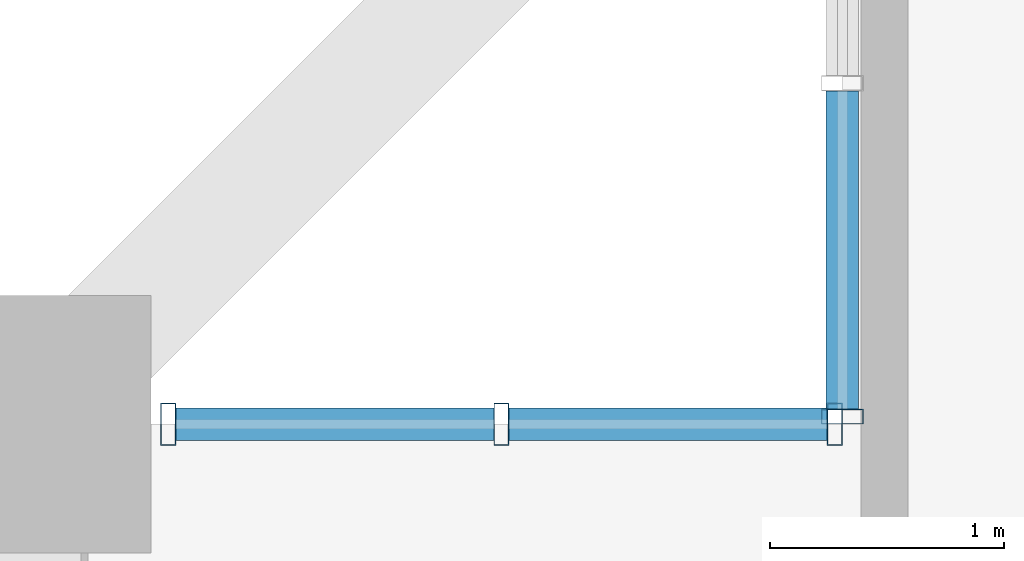
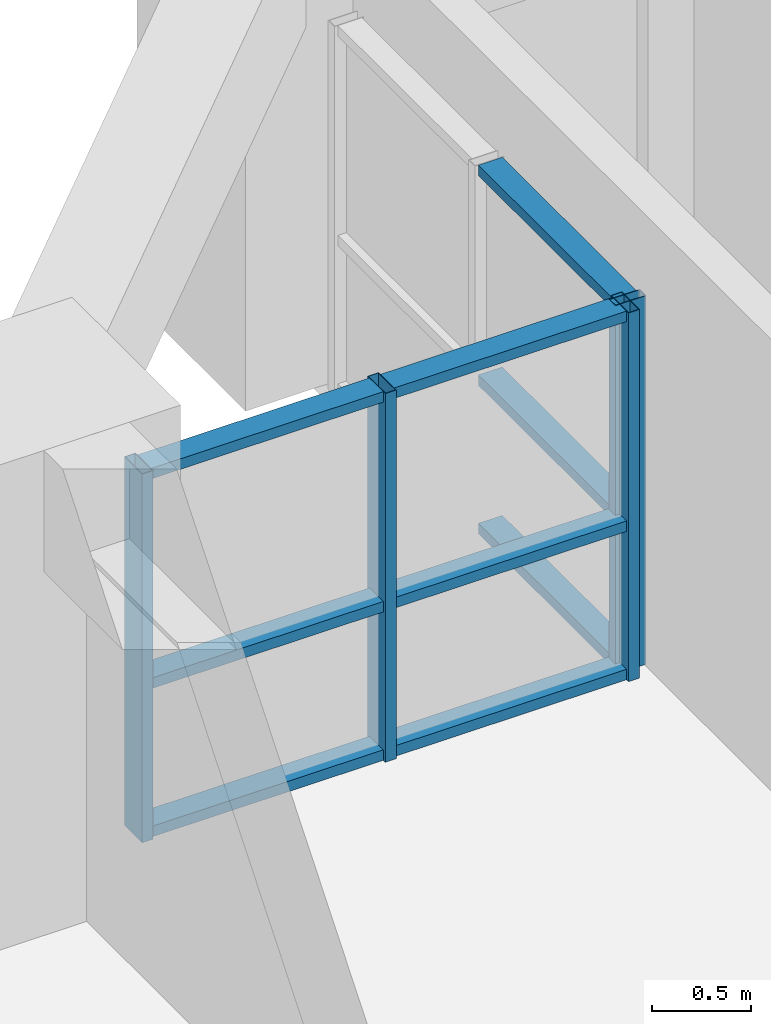
# One storey, part 6 of 27: 13 members, 2 elements without a shape of their own.
"""IFC4 building model written with IfcOpenShell, lengths in metres."""

from ifc_helpers import new_model, si_unit, direction, frame, origin, origin_2d, place, context, subcontext, project, spatial, hollow_rectangle, extrude, source, transform, mapped, material, layer, layer_set, material_profile, profile_set, type_object, element, aggregate, save


model = new_model("IFC4")

# Units and contexts
model_context = context("Model", 3, precision=1e-05, world=origin(), true_north=direction((0.0, 1.0)))
body_context = subcontext(model_context, "Body", "Model", "MODEL_VIEW")
ifc_project = project(units=[si_unit("LENGTHUNIT", "METRE"), si_unit("AREAUNIT", "SQUARE_METRE"), si_unit("VOLUMEUNIT", "CUBIC_METRE"), si_unit("PLANEANGLEUNIT", "RADIAN"), si_unit("MASSUNIT", "GRAM", prefix="KILO")], contexts=[model_context])

# Site, building, storey
site_placement = place(None, origin())
site = spatial("IfcSite", under=ifc_project, at=site_placement, CompositionType="ELEMENT")
building_placement = place(site_placement, origin())
building = spatial("IfcBuilding", under=site, at=building_placement, Name="Saelheon Loggia Tower", CompositionType="ELEMENT")
storey_placement = place(building_placement, frame((0.0, 0.0, 34.39990234375)))
storey = spatial("IfcBuildingStorey", under=building, at=storey_placement, Name="L10", CompositionType="ELEMENT", Elevation=34.39990234375)

# Curtain wall, member
ifc_material_1 = material(Name="Thermal-Break Aluminium and Triple Low-E Glass", Category="aluminium")
ifc_layer = layer(ifc_material_1, 0.159912109375)
ifc_layer_set = layer_set([ifc_layer], Name="Thermal-Break Aluminium and Triple Low-E Glass")
curtain_wall_type = type_object("IfcCurtainWallType", Name="CW_TowerLoggiaLow", PredefinedType="NOTDEFINED", material=ifc_layer_set)
curtain_wall_1_placement = place(storey_placement, origin())
curtain_wall_1 = element("IfcCurtainWall", 1, at=curtain_wall_1_placement, inside=storey, type_object=curtain_wall_type, Name="L10 Corner Notch Glazing NW1", PredefinedType="NOTDEFINED")
ifc_material_2 = material(Name="Anodised Aluminium 6063-T6", Category="aluminium")
ifc_material_profile_1 = material_profile(ifc_material_2, hollow_rectangle(XDim=0.06494140625, YDim=0.179931640625, WallThickness=0.00390625, at=origin_2d()), Name="RHS-180x65x4")
ifc_profile_set_1 = profile_set([ifc_material_profile_1], Name="Anodised Aluminium 6063-T6")
member_type_1 = type_object("IfcMemberType", Name="CW_TowerLoggiaLow_Mullion", PredefinedType="MULLION", material=ifc_profile_set_1)
shared_shape_1 = source(origin(), body_context, "Body", "SweptSolid", [
    extrude(hollow_rectangle(XDim=0.06494140625, YDim=0.179931640625, WallThickness=0.00390625, at=origin_2d()), origin(), (0.0, 0.0, 1.0), 2.280029296875),
])
member_1_placement = place(storey_placement, frame((15.5, 47.532470703125, 0.0), z_axis=(0.0, 0.0, 1.0), x_axis=(0.0, 1.0, 0.0)))
member_1 = element("IfcMember", 2, at=member_1_placement, type_object=member_type_1, Name="CW3 mullion 1", PredefinedType="MULLION", context=body_context, shape_type="MappedRepresentation", body=[
    mapped(shared_shape_1, transform((0.0, 0.0, 0.0), scale=1.0)),
])

# Curtain wall, members
curtain_wall_2_placement = place(storey_placement, origin())
curtain_wall_2 = element("IfcCurtainWall", 3, at=curtain_wall_2_placement, inside=storey, type_object=curtain_wall_type, Name="L10 Corner Notch Glazing NW2", PredefinedType="NOTDEFINED")
member_2_placement = place(storey_placement, frame((12.62255859375, 47.5, 0.0), z_axis=(0.0, 0.0, 1.0), x_axis=(1.0, 0.0, 0.0)))
member_2 = element("IfcMember", 4, at=member_2_placement, type_object=member_type_1, Name="CW3 mullion 1", PredefinedType="MULLION", context=body_context, shape_type="MappedRepresentation", body=[
    mapped(shared_shape_1, transform((0.0, 0.0, 0.0), scale=1.0)),
])
member_3_placement = place(storey_placement, frame((14.044921875, 47.5, 0.0), z_axis=(0.0, 0.0, 1.0), x_axis=(1.0, 0.0, 0.0)))
member_3 = element("IfcMember", 5, at=member_3_placement, type_object=member_type_1, Name="CW3 mullion 2", PredefinedType="MULLION", context=body_context, shape_type="MappedRepresentation", body=[
    mapped(shared_shape_1, transform((0.0, 0.0, 0.0), scale=1.0)),
])
member_4_placement = place(storey_placement, frame((15.467529296875, 47.5, 0.0), z_axis=(0.0, 0.0, 1.0), x_axis=(1.0, 0.0, 0.0)))
member_4 = element("IfcMember", 6, at=member_4_placement, type_object=member_type_1, Name="CW3 mullion 3", PredefinedType="MULLION", context=body_context, shape_type="MappedRepresentation", body=[
    mapped(shared_shape_1, transform((0.0, 0.0, 0.0), scale=1.0)),
])
ifc_material_profile_2 = material_profile(ifc_material_2, hollow_rectangle(XDim=0.06494140625, YDim=0.139892578125, WallThickness=0.00390625, at=origin_2d()), Name="RHS-140x65x4")
ifc_profile_set_2 = profile_set([ifc_material_profile_2], Name="Anodised Aluminium 6063-T6")
member_type_2 = type_object("IfcMemberType", Name="CW_TowerLoggiaLow_Transom", PredefinedType="USERDEFINED", material=ifc_profile_set_2)
shared_shape_2 = source(origin(), body_context, "Body", "SweptSolid", [
    extrude(hollow_rectangle(XDim=0.06494140625, YDim=0.139892578125, WallThickness=0.00390625, at=origin_2d()), origin(), (0.0, 0.0, 1.0), 1.357421875),
])
member_5_placement = place(storey_placement, frame((12.655029296875, 47.5, 0.03271484375), z_axis=(1.0, 0.0, 0.0), x_axis=(0.0, 0.0, 1.0)))
member_5 = element("IfcMember", 7, at=member_5_placement, type_object=member_type_2, Name="CW3 transom 1.1", ObjectType="TRANSOM", PredefinedType="USERDEFINED", context=body_context, shape_type="MappedRepresentation", body=[
    mapped(shared_shape_2, transform((0.0, 0.0, 0.0), scale=1.0)),
])
member_6_placement = place(storey_placement, frame((12.655029296875, 47.5, 0.9501953125), z_axis=(1.0, 0.0, 0.0), x_axis=(0.0, 0.0, 1.0)))
member_6 = element("IfcMember", 8, at=member_6_placement, type_object=member_type_2, Name="CW3 transom 1.2", ObjectType="TRANSOM", PredefinedType="USERDEFINED", context=body_context, shape_type="MappedRepresentation", body=[
    mapped(shared_shape_2, transform((0.0, 0.0, 0.0), scale=1.0)),
])
member_7_placement = place(storey_placement, frame((12.655029296875, 47.5, 2.24755859375), z_axis=(1.0, 0.0, 0.0), x_axis=(0.0, 0.0, 1.0)))
member_7 = element("IfcMember", 9, at=member_7_placement, type_object=member_type_2, Name="CW3 transom 1.3", ObjectType="TRANSOM", PredefinedType="USERDEFINED", context=body_context, shape_type="MappedRepresentation", body=[
    mapped(shared_shape_2, transform((0.0, 0.0, 0.0), scale=1.0)),
])

# Member
shared_shape_3 = source(origin(), body_context, "Body", "SweptSolid", [
    extrude(hollow_rectangle(XDim=0.06494140625, YDim=0.139892578125, WallThickness=0.00390625, at=origin_2d()), origin(), (0.0, 0.0, 1.0), 1.357666015625),
])
member_8_placement = place(storey_placement, frame((15.5, 47.56494140625, 0.03271484375), z_axis=(0.0, 1.0, 0.0), x_axis=(0.0, 0.0, 1.0)))
member_8 = element("IfcMember", 10, at=member_8_placement, type_object=member_type_2, Name="CW3 transom 1.1", ObjectType="TRANSOM", PredefinedType="USERDEFINED", context=body_context, shape_type="MappedRepresentation", body=[
    mapped(shared_shape_3, transform((0.0, 0.0, 0.0), scale=1.0)),
])

member_9_placement = place(storey_placement, frame((15.5, 47.56494140625, 0.9501953125), z_axis=(0.0, 1.0, 0.0), x_axis=(0.0, 0.0, 1.0)))
member_9 = element("IfcMember", 11, at=member_9_placement, type_object=member_type_2, Name="CW3 transom 1.2", ObjectType="TRANSOM", PredefinedType="USERDEFINED", context=body_context, shape_type="MappedRepresentation", body=[
    mapped(shared_shape_3, transform((0.0, 0.0, 0.0), scale=1.0)),
])

member_10_placement = place(storey_placement, frame((15.5, 47.56494140625, 2.24755859375), z_axis=(0.0, 1.0, 0.0), x_axis=(0.0, 0.0, 1.0)))
member_10 = element("IfcMember", 12, at=member_10_placement, type_object=member_type_2, Name="CW3 transom 1.3", ObjectType="TRANSOM", PredefinedType="USERDEFINED", context=body_context, shape_type="MappedRepresentation", body=[
    mapped(shared_shape_3, transform((0.0, 0.0, 0.0), scale=1.0)),
])

aggregate(curtain_wall_1, [member_1, member_8, member_9, member_10])

member_11_placement = place(storey_placement, frame((14.077392578125, 47.5, 0.03271484375), z_axis=(1.0, 0.0, 0.0), x_axis=(0.0, 0.0, 1.0)))
member_11 = element("IfcMember", 13, at=member_11_placement, type_object=member_type_2, Name="CW3 transom 2.1", ObjectType="TRANSOM", PredefinedType="USERDEFINED", context=body_context, shape_type="MappedRepresentation", body=[
    mapped(shared_shape_3, transform((0.0, 0.0, 0.0), scale=1.0)),
])

member_12_placement = place(storey_placement, frame((14.077392578125, 47.5, 0.9501953125), z_axis=(1.0, 0.0, 0.0), x_axis=(0.0, 0.0, 1.0)))
member_12 = element("IfcMember", 14, at=member_12_placement, type_object=member_type_2, Name="CW3 transom 2.2", ObjectType="TRANSOM", PredefinedType="USERDEFINED", context=body_context, shape_type="MappedRepresentation", body=[
    mapped(shared_shape_3, transform((0.0, 0.0, 0.0), scale=1.0)),
])

member_13_placement = place(storey_placement, frame((14.077392578125, 47.5, 2.24755859375), z_axis=(1.0, 0.0, 0.0), x_axis=(0.0, 0.0, 1.0)))
member_13 = element("IfcMember", 15, at=member_13_placement, type_object=member_type_2, Name="CW3 transom 2.3", ObjectType="TRANSOM", PredefinedType="USERDEFINED", context=body_context, shape_type="MappedRepresentation", body=[
    mapped(shared_shape_3, transform((0.0, 0.0, 0.0), scale=1.0)),
])

aggregate(curtain_wall_2, [member_2, member_3, member_4, member_5, member_6, member_7, member_11, member_12, member_13])

save(model, "model.ifc")
